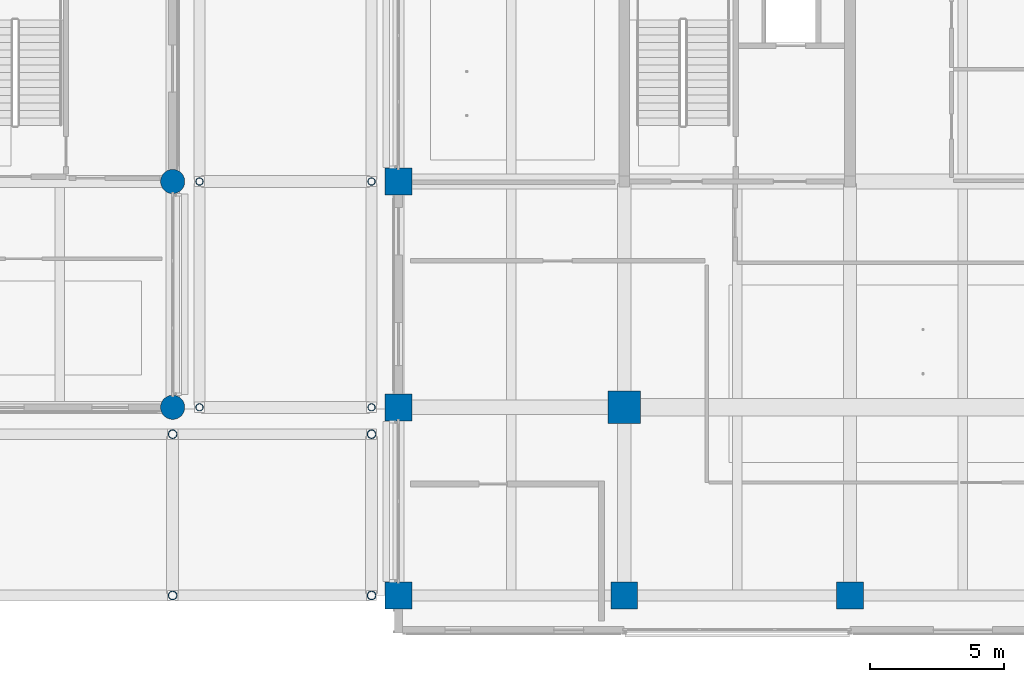
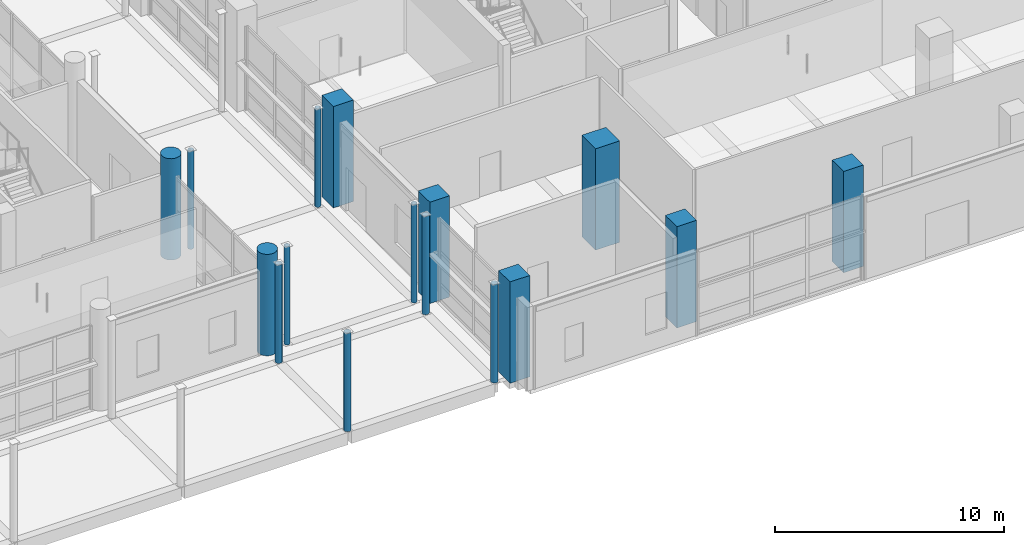
# One storey, part 2 of 140: 16 columns.
"""IFC4 building model written with IfcOpenShell, lengths in metres."""

import ifcopenshell
import ifcopenshell.guid

model = None  # the IFC model being written
_history = None  # IfcOwnerHistory: only IFC2X3 demands one
_inside = {}  # id of a spatial element -> (the spatial element, [elements in it])
_under = {}  # id of a project, library or spatial element -> (it, [spatial elements below it])
_declared = {}  # id of a project -> (the project, [libraries it declares])
_typed = {}  # id of a type object -> (the type object, [elements of that type])
_made_of = {}  # id of a material, layer set ... -> (it, [elements and type objects made of it])


def new_model(schema):
    """Start an empty IFC model of exactly this schema.

    Asked for "IFC4X3", IfcOpenShell would pick the latest addendum, in which some entities
    have other attributes; the version numbers below select the first issue.
    IFC2X3 requires an IfcOwnerHistory on every rooted entity: one is made here for all.
    """
    global model, _history
    if schema == "IFC4X3":
        model = ifcopenshell.file(schema_version=(4, 3, 0, 0))
    else:
        model = ifcopenshell.file(schema=schema)
    _inside.clear()
    _under.clear()
    _declared.clear()
    _typed.clear()
    _made_of.clear()
    _history = None
    if model.schema == "IFC2X3":
        org = make("IfcOrganization", Name="unknown")
        user = make(
            "IfcPersonAndOrganization",
            ThePerson=make("IfcPerson", FamilyName="unknown"),
            TheOrganization=org,
        )
        app = make(
            "IfcApplication",
            ApplicationDeveloper=org,
            Version="unknown",
            ApplicationFullName="unknown",
            ApplicationIdentifier="unknown",
        )
        _history = make(
            "IfcOwnerHistory",
            OwningUser=user,
            OwningApplication=app,
            ChangeAction="ADDED",
            CreationDate=0,
        )
    return model


def make(cls, **values):
    """One entity of the class cls with the attributes given. An attribute that is None is left unset."""
    return model.create_entity(
        cls, **{name: value for name, value in values.items() if value is not None}
    )


def rooted(cls, **values):
    """An entity with a GlobalId (a new one), such as an element, a storey or a relation."""
    return make(cls, GlobalId=ifcopenshell.guid.new(), OwnerHistory=_history, **values)


def si_unit(unit_type, name, prefix=None):
    """IfcSIUnit, for example si_unit("LENGTHUNIT", "METRE", prefix="MILLI")."""
    return make("IfcSIUnit", UnitType=unit_type, Prefix=prefix, Name=name)


def assignment(units):
    """IfcUnitAssignment: the units of a project."""
    return None if units is None else make("IfcUnitAssignment", Units=units)


def point(xyz):
    """IfcCartesianPoint."""
    return None if xyz is None else make("IfcCartesianPoint", Coordinates=xyz)


def direction(xyz):
    """IfcDirection."""
    return None if xyz is None else make("IfcDirection", DirectionRatios=xyz)


def frame(location, z_axis=None, x_axis=None):
    """IfcAxis2Placement3D, a coordinate frame: its origin and axes. An axis left out is left unset."""
    return make(
        "IfcAxis2Placement3D",
        Location=point(location),
        Axis=direction(z_axis),
        RefDirection=direction(x_axis),
    )


def frame_2d(location, x_axis=None):
    """IfcAxis2Placement2D, a coordinate frame in the plane: its origin and x axis."""
    return make(
        "IfcAxis2Placement2D", Location=point(location), RefDirection=direction(x_axis)
    )


def origin():
    """The frame at (0, 0, 0) with its axes left unset."""
    return frame((0.0, 0.0, 0.0))


def origin_2d():
    """The frame at (0, 0) in the plane with its x axis left unset."""
    return frame_2d((0.0, 0.0))


def place(relative_to, where):
    """IfcLocalPlacement: puts the frame where relative to a parent placement (None: the world)."""
    return make(
        "IfcLocalPlacement", PlacementRelTo=relative_to, RelativePlacement=where
    )


def context(
    kind, dimensions, precision=None, world=None, true_north=None, identifier=None
):
    """IfcGeometricRepresentationContext, for example the 3D "Model" context."""
    return make(
        "IfcGeometricRepresentationContext",
        ContextIdentifier=identifier,
        ContextType=kind,
        CoordinateSpaceDimension=dimensions,
        Precision=precision,
        WorldCoordinateSystem=world,
        TrueNorth=true_north,
    )


def subcontext(parent, identifier, kind, view, scale=None):
    """IfcGeometricRepresentationSubContext, for example "Body" below "Model"."""
    return make(
        "IfcGeometricRepresentationSubContext",
        ContextIdentifier=identifier,
        ContextType=kind,
        ParentContext=parent,
        TargetScale=scale,
        TargetView=view,
    )


def project(units=None, contexts=None):
    """IfcProject with its units and contexts."""
    return rooted(
        "IfcProject",
        Name="project",
        RepresentationContexts=contexts,
        UnitsInContext=assignment(units),
    )


def spatial(cls, under=None, at=None, **own):
    """A site, building, storey or space (cls), placed at a placement, below another one or the project."""
    s = rooted(cls, ObjectPlacement=at, **own)
    if under is not None:
        _under.setdefault(under.id(), (under, []))[1].append(s)
    return s


def profile(cls, at=None, kind="AREA", **sizes):
    """A parametric profile (cls). Its sizes go by their IFC names, for example OverallWidth=200.0."""
    return make(cls, ProfileType=kind, Position=at, **sizes)


def rectangle(**sizes):
    """IfcRectangleProfileDef."""
    return profile("IfcRectangleProfileDef", **sizes)


def circle(**sizes):
    """IfcCircleProfileDef."""
    return profile("IfcCircleProfileDef", **sizes)


def hollow_circle(**sizes):
    """IfcCircleHollowProfileDef."""
    return profile("IfcCircleHollowProfileDef", **sizes)


def extrude(swept, where, along, depth):
    """IfcExtrudedAreaSolid: the profile swept, set in the frame where, extruded along a direction by depth."""
    return make(
        "IfcExtrudedAreaSolid",
        SweptArea=swept,
        Position=where,
        ExtrudedDirection=direction(along),
        Depth=depth,
    )


def shape(context_of_items, identifier, shape_type, items):
    """IfcShapeRepresentation: the items that make up one representation, for example the "Body"."""
    return make(
        "IfcShapeRepresentation",
        ContextOfItems=context_of_items,
        RepresentationIdentifier=identifier,
        RepresentationType=shape_type,
        Items=items,
    )


def material(Name=None, Category=None):
    """IfcMaterial."""
    return make("IfcMaterial", Name=Name, Category=Category)


def material_profile(
    of_material, cross_section, Name=None, Category=None, Priority=None
):
    """IfcMaterialProfile: a cross section and its material."""
    return make(
        "IfcMaterialProfile",
        Name=Name,
        Material=of_material,
        Profile=cross_section,
        Priority=Priority,
        Category=Category,
    )


def profile_set(profiles, Name=None, composite=None):
    """IfcMaterialProfileSet."""
    return make(
        "IfcMaterialProfileSet",
        Name=Name,
        MaterialProfiles=profiles,
        CompositeProfile=composite,
    )


def made_of(thing, what):
    """Note that an element or type object is made of a material, layer set ...; save() writes the relation."""
    if what is not None:
        _made_of.setdefault(what.id(), (what, []))[1].append(thing)
    return thing


def type_object(cls, material=None, **own):
    """A type object (cls), such as IfcWallType, which elements share."""
    return made_of(rooted(cls, **own), material)


def element(
    cls,
    number,
    at=None,
    inside=None,
    cuts=None,
    type_object=None,
    material=None,
    context=None,
    identifier="Body",
    shape_type=None,
    held_by="IfcProductDefinitionShape",
    body=None,
    shapes=None,
    **own,
):
    """One element of the class cls, such as IfcWall. Its Tag is "e" and its number.

    at: its placement. inside: the storey or other place that contains it. cuts: it is an
    opening in that element (IfcRelVoidsElement). A single representation is given by context,
    identifier, shape_type and body (its items); several are given by shapes. held_by: the class
    of the entity that holds the representations. save() writes the other relations.
    """
    e = rooted(cls, Tag="e%d" % number, ObjectPlacement=at, **own)
    if body is not None:
        shapes = [shape(context, identifier, shape_type, body)]
    if shapes is not None:
        e.Representation = make(held_by, Representations=shapes)
    if inside is not None:
        _inside.setdefault(inside.id(), (inside, []))[1].append(e)
    if cuts is not None:
        rooted(
            "IfcRelVoidsElement", RelatingBuildingElement=cuts, RelatedOpeningElement=e
        )
    if type_object is not None:
        _typed.setdefault(type_object.id(), (type_object, []))[1].append(e)
    return made_of(e, material)


def aggregate(whole, parts):
    """IfcRelAggregates: a whole, such as a stair, and the parts it consists of."""
    return rooted("IfcRelAggregates", RelatingObject=whole, RelatedObjects=parts)


def save(model, path):
    """Write the relations noted so far, then the file.

    IfcRelAggregates (storeys below a building ...), IfcRelContainedInSpatialStructure (elements
    in a storey), IfcRelDefinesByType, IfcRelAssociatesMaterial and IfcRelDeclares: one each for
    every whole, place, type object, material and project.
    """
    for whole, parts in _under.values():
        aggregate(whole, parts)
    for where, things in _inside.values():
        rooted(
            "IfcRelContainedInSpatialStructure",
            RelatedElements=things,
            RelatingStructure=where,
        )
    for kind, things in _typed.values():
        rooted("IfcRelDefinesByType", RelatedObjects=things, RelatingType=kind)
    for what, things in _made_of.values():
        rooted("IfcRelAssociatesMaterial", RelatedObjects=things, RelatingMaterial=what)
    for by, libraries in _declared.values():
        rooted("IfcRelDeclares", RelatingContext=by, RelatedDefinitions=libraries)
    model.write(path)


model = new_model("IFC4")

# Units and contexts
model_context = context("Model", 3, precision=1e-05, world=origin(), true_north=direction((0.0, 1.0)))
body_context = subcontext(model_context, "Body", "Model", "MODEL_VIEW")
ifc_project = project(units=[si_unit("LENGTHUNIT", "METRE"), si_unit("AREAUNIT", "SQUARE_METRE"), si_unit("VOLUMEUNIT", "CUBIC_METRE"), si_unit("PLANEANGLEUNIT", "RADIAN"), si_unit("MASSUNIT", "GRAM", prefix="KILO")], contexts=[model_context])

# Site, building, storey
site_placement = place(None, origin())
site = spatial("IfcSite", under=ifc_project, at=site_placement, CompositionType="ELEMENT")
building_placement = place(site_placement, origin())
building = spatial("IfcBuilding", under=site, at=building_placement, Name="Telukmera Botanical Conservatory", CompositionType="ELEMENT")
storey_placement = place(building_placement, origin())
storey = spatial("IfcBuildingStorey", under=building, at=storey_placement, Name="L00", CompositionType="ELEMENT", Elevation=0.0)

# Columns
ifc_material_1 = material(Name="Concrete C50/60", Category="concrete")
ifc_material_profile_1 = material_profile(ifc_material_1, rectangle(XDim=1.199951171875, YDim=1.199951171875, at=origin_2d()), Name="RC 1200x1200")
ifc_profile_set_1 = profile_set([ifc_material_profile_1], Name="Concrete C50/60")
column_type_1 = type_object("IfcColumnType", Name="Col_C1", PredefinedType="COLUMN", material=ifc_profile_set_1)
column_placement = place(storey_placement, frame((58.800048828125, 17.60009765625, 0.0), z_axis=(0.0, 0.0, 1.0), x_axis=(1.0, 0.0, 0.0)))
element("IfcColumn", 1, at=column_placement, inside=storey, type_object=column_type_1, Name="Column V4-L00 (58.8,17.6)", PredefinedType="COLUMN", context=body_context, shape_type="SweptSolid", body=[
    extrude(rectangle(XDim=1.199951171875, YDim=1.199951171875, at=origin_2d()), origin(), (0.0, 0.0, 1.0), 5.39990234375),
])
ifc_material_2 = material(Name="Concrete C40/50", Category="concrete")
ifc_material_profile_2 = material_profile(ifc_material_2, circle(Radius=0.449951171875, at=origin_2d()), Name="RC D900")
ifc_profile_set_2 = profile_set([ifc_material_profile_2], Name="Concrete C40/50")
column_type_2 = type_object("IfcColumnType", Name="Col_C16", PredefinedType="COLUMN", material=ifc_profile_set_2)
for number, where, z_axis, x_axis, name in (
    (2, (42.0, 17.60009765625, 0.0), (0.0, 0.0, 1.0), (1.0, 0.0, 0.0), "Column V3-L00 (42.0,17.6)"),
    (3, (42.0, 26.0, 0.0), (0.0, 0.0, 1.0), (1.0, 0.0, 0.0), "Column V3-L00 (42.0,26.0)"),
):
    element("IfcColumn", number, at=place(storey_placement, frame(where, z_axis=z_axis, x_axis=x_axis)), inside=storey, type_object=column_type_2, Name=name, PredefinedType="COLUMN", context=body_context, shape_type="SweptSolid", body=[
        extrude(circle(Radius=0.449951171875, at=origin_2d()), origin(), (0.0, 0.0, 1.0), 5.39990234375),
    ])
ifc_material_profile_3 = material_profile(ifc_material_1, rectangle(XDim=1.0, YDim=1.0, at=origin_2d()), Name="RC 1000x1000")
ifc_profile_set_3 = profile_set([ifc_material_profile_3], Name="Concrete C50/60")
column_type_3 = type_object("IfcColumnType", Name="Col_C3", PredefinedType="COLUMN", material=ifc_profile_set_3)
for number, where, z_axis, x_axis, name in (
    (4, (50.39990234375, 10.60009765625, 0.0), (0.0, 0.0, 1.0), (1.0, 0.0, 0.0), "Column V4-L00 (50.4,10.6)"),
    (5, (50.39990234375, 17.60009765625, 0.0), (0.0, 0.0, 1.0), (1.0, 0.0, 0.0), "Column V4-L00 (50.4,17.6)"),
    (6, (50.39990234375, 26.0, 0.0), (0.0, 0.0, 1.0), (1.0, 0.0, 0.0), "Column V4-L00 (50.4,26.0)"),
    (7, (58.800048828125, 10.60009765625, 0.0), (0.0, 0.0, 1.0), (1.0, 0.0, 0.0), "Column V4-L00 (58.8,10.6)"),
    (8, (67.199951171875, 10.60009765625, 0.0), (0.0, 0.0, 1.0), (1.0, 0.0, 0.0), "Column V4-L00 (67.2,10.6)"),
):
    element("IfcColumn", number, at=place(storey_placement, frame(where, z_axis=z_axis, x_axis=x_axis)), inside=storey, type_object=column_type_3, Name=name, PredefinedType="COLUMN", context=body_context, shape_type="SweptSolid", body=[
        extrude(rectangle(XDim=1.0, YDim=1.0, at=origin_2d()), origin(), (0.0, 0.0, 1.0), 5.39990234375),
    ])
ifc_material_3 = material(Name="Steel S355", Category="steel")
ifc_material_profile_4 = material_profile(ifc_material_3, hollow_circle(Radius=0.161865234375, WallThickness=0.012451171875, at=origin_2d()), Name="CHS 323.9x12.5")
ifc_profile_set_4 = profile_set([ifc_material_profile_4], Name="Steel S355")
column_type_4 = type_object("IfcColumnType", Name="Col_SC1", PredefinedType="COLUMN", material=ifc_profile_set_4)
for number, where, z_axis, x_axis, name in (
    (9, (42.0, 10.60009765625, 0.0), (0.0, 0.0, 1.0), (1.0, 0.0, 0.0), "Column V5-L00 (42.0,10.6)"),
    (10, (42.0, 16.60009765625, 0.0), (0.0, 0.0, 1.0), (1.0, 0.0, 0.0), "Column V5-L00 (42.0,16.6)"),
    (11, (49.39990234375, 10.60009765625, 0.0), (0.0, 0.0, 1.0), (1.0, 0.0, 0.0), "Column V5-L00 (49.4,10.6)"),
    (12, (49.39990234375, 16.60009765625, 0.0), (0.0, 0.0, 1.0), (1.0, 0.0, 0.0), "Column V5-L00 (49.4,16.6)"),
):
    element("IfcColumn", number, at=place(storey_placement, frame(where, z_axis=z_axis, x_axis=x_axis)), inside=storey, type_object=column_type_4, Name=name, PredefinedType="COLUMN", context=body_context, shape_type="SweptSolid", body=[
        extrude(hollow_circle(Radius=0.161865234375, WallThickness=0.012451171875, at=origin_2d()), origin(), (0.0, 0.0, 1.0), 5.239990234375),
    ])
ifc_material_profile_5 = material_profile(ifc_material_3, hollow_circle(Radius=0.136474609375, WallThickness=0.010009765625, at=origin_2d()), Name="CHS 273.0x10.0")
ifc_profile_set_5 = profile_set([ifc_material_profile_5], Name="Steel S355")
column_type_5 = type_object("IfcColumnType", Name="Col_SC2", PredefinedType="COLUMN", material=ifc_profile_set_5)
for number, where, z_axis, x_axis, name in (
    (13, (43.0, 17.60009765625, 0.0), (0.0, 0.0, 1.0), (1.0, 0.0, 0.0), "Column V5-L00 (43.0,17.6)"),
    (14, (49.39990234375, 17.60009765625, 0.0), (0.0, 0.0, 1.0), (1.0, 0.0, 0.0), "Column V5-L00 (49.4,17.6)"),
    (15, (43.0, 26.0, 0.0), (0.0, 0.0, 1.0), (1.0, 0.0, 0.0), "Column V5-L00 (43.0,26.0)"),
    (16, (49.39990234375, 26.0, 0.0), (0.0, 0.0, 1.0), (1.0, 0.0, 0.0), "Column V5-L00 (49.4,26.0)"),
):
    element("IfcColumn", number, at=place(storey_placement, frame(where, z_axis=z_axis, x_axis=x_axis)), inside=storey, type_object=column_type_5, Name=name, PredefinedType="COLUMN", context=body_context, shape_type="SweptSolid", body=[
        extrude(hollow_circle(Radius=0.136474609375, WallThickness=0.010009765625, at=origin_2d()), origin(), (0.0, 0.0, 1.0), 5.239990234375),
    ])

save(model, "model.ifc")
